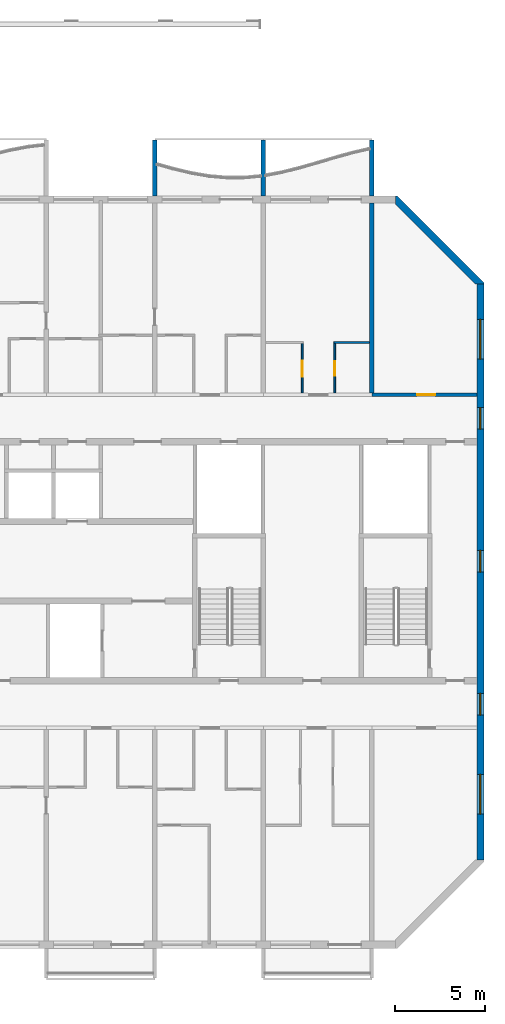
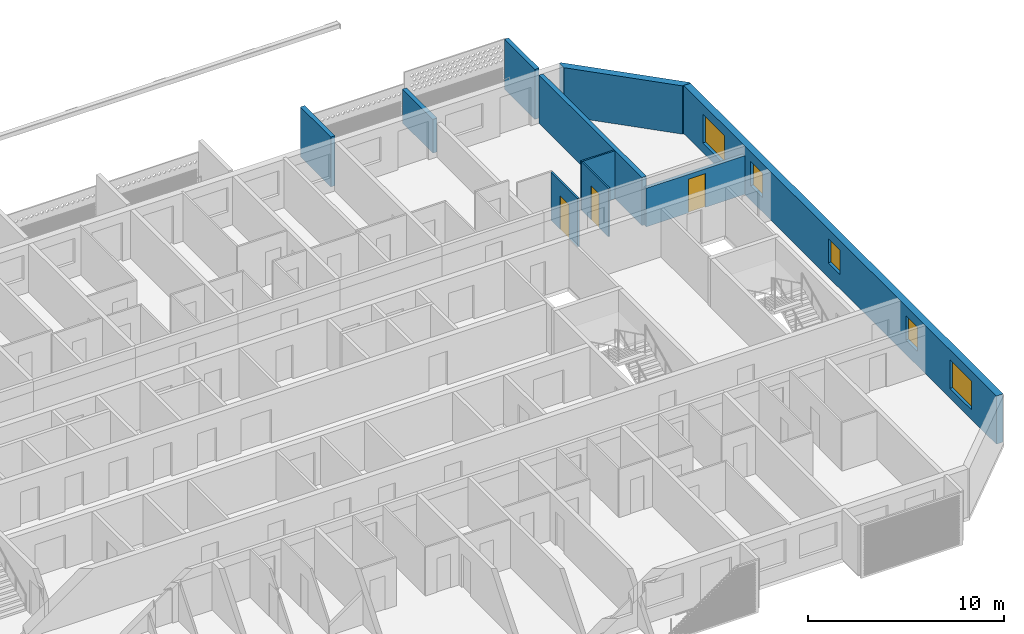
# One storey, part 13 of 20: 10 walls, 5 windows, 3 doors, 8 openings.
"""IFC4 building model written with IfcOpenShell, lengths in metres."""

from ifc_helpers import new_model, si_unit, direction, frame, frame_2d, origin, place, context, subcontext, project, spatial, polyline, rectangle, outline, extrude, source, transform, mapped, material, layer, layer_set, type_object, element, fill, save


model = new_model("IFC4")

# Units and contexts
model_context = context("Model", 3, precision=1e-05, world=origin(), true_north=direction((0.0, 1.0)))
body_context = subcontext(model_context, "Body", "Model", "MODEL_VIEW")
ifc_project = project(units=[si_unit("LENGTHUNIT", "METRE"), si_unit("AREAUNIT", "SQUARE_METRE"), si_unit("VOLUMEUNIT", "CUBIC_METRE"), si_unit("PLANEANGLEUNIT", "RADIAN"), si_unit("MASSUNIT", "GRAM", prefix="KILO")], contexts=[model_context])

# Site, building, storey
site_placement = place(None, origin())
site = spatial("IfcSite", under=ifc_project, at=site_placement, CompositionType="ELEMENT")
building_placement = place(site_placement, origin())
building = spatial("IfcBuilding", under=site, at=building_placement, Name="Poui Terraces", CompositionType="ELEMENT")
storey_placement = place(building_placement, frame((0.0, 0.0, 257.699951171875)))
storey = spatial("IfcBuildingStorey", under=building, at=storey_placement, Name="L72", CompositionType="ELEMENT", Elevation=257.699951171875)

# Wall, opening, door
ifc_material_1 = material(Name="Concrete 50 MPa", Category="concrete")
ifc_layer_1 = layer(ifc_material_1, 0.199951171875)
ifc_layer_set_1 = layer_set([ifc_layer_1], Name="Concrete 50 MPa")
wall_type_1 = type_object("IfcWallType", Name="CORRIDOR WALL 200 50MPa", PredefinedType="SHEAR", material=ifc_layer_set_1)
wall_1_placement = place(storey_placement, frame((78.0, 30.39990234375, 0.0), z_axis=(0.0, 0.0, 1.0), x_axis=(1.0, 0.0, 0.0)))
wall_1 = element("IfcWall", 1, at=wall_1_placement, inside=storey, type_object=wall_type_1, Name="CORRIDOR WALL LINE E BAY 11", PredefinedType="SHEAR", context=body_context, shape_type="SweptSolid", body=[
    extrude(rectangle(XDim=5.800048828125, YDim=0.199951171875, at=frame_2d((2.89990234375, 0.0))), origin(), (0.0, 0.0, 1.0), 2.400146484375),
])
opening_1_placement = place(wall_1_placement, frame((2.5, 0.0, 0.0)))
opening_1 = element("IfcOpeningElement", 2, at=opening_1_placement, cuts=wall_1, Name="Opening D100", PredefinedType="OPENING", context=body_context, shape_type="SweptSolid", body=[
    extrude(rectangle(XDim=1.0, YDim=2.10009765625, at=frame_2d((0.5, 1.050048828125))), frame((0.0, 0.10986328125, 0.0), z_axis=(0.0, -1.0, 0.0), x_axis=(1.0, 0.0, 0.0)), (0.0, 0.0, 1.0), 0.219970703125),
])
ifc_material_2 = material(Name="Solid core timber door", Category="wood")
door_type_1 = type_object("IfcDoorType", Name="ACCESSIBLE INTERNAL DOOR 1000 X 2100", OperationType="NOTDEFINED", PredefinedType="DOOR", material=ifc_material_2)
door_1_placement = place(opening_1_placement, origin())
door_1 = element("IfcDoor", 3, at=door_1_placement, inside=storey, type_object=door_type_1, Name="ACCESSIBLE INTERNAL DOOR 060", OperationType="SINGLE_SWING_LEFT", OverallHeight=2.10009765625, OverallWidth=1.0, PredefinedType="DOOR", context=body_context, shape_type="SweptSolid", body=[
    extrude(rectangle(XDim=1.0, YDim=2.10009765625, at=frame_2d((0.5, 1.050048828125))), frame((0.0, 0.02490234375, 0.0), z_axis=(0.0, -1.0, 0.0), x_axis=(1.0, 0.0, 0.0)), (0.0, 0.0, 1.0), 0.050048828125),
])
fill(opening_1, door_1)

# Wall
ifc_layer_2 = layer(ifc_material_1, 0.25)
ifc_layer_set_2 = layer_set([ifc_layer_2], Name="Concrete 50 MPa")
wall_type_2 = type_object("IfcWallType", Name="CROSS WALL 250 50MPa", PredefinedType="SHEAR", material=ifc_layer_set_2)
wall_2_placement = place(storey_placement, frame((78.0, 30.5, 0.0), z_axis=(0.0, 0.0, 1.0), x_axis=(0.0, 1.0, 0.0)))
element("IfcWall", 4, at=wall_2_placement, inside=storey, type_object=wall_type_2, Name="CROSS WALL LINE 14 NORTH", PredefinedType="SHEAR", context=body_context, shape_type="SweptSolid", body=[
    extrude(rectangle(XDim=10.5, YDim=0.25, at=frame_2d((5.25, 0.0))), origin(), (0.0, 0.0, 1.0), 3.0),
])

# Wall, openings, windows
ifc_layer_3 = layer(ifc_material_1, 0.39990234375)
ifc_layer_set_3 = layer_set([ifc_layer_3], Name="Concrete 50 MPa")
wall_type_3 = type_object("IfcWallType", Name="END WALL 400 50MPa", PredefinedType="SHEAR", material=ifc_layer_set_3)
wall_3_placement = place(storey_placement, frame((84.0, 4.682861328125, 0.0), z_axis=(0.0, 0.0, 1.0), x_axis=(0.0, 1.0, 0.0)))
wall_3 = element("IfcWall", 5, at=wall_3_placement, inside=storey, type_object=wall_type_3, Name="END WALL EAST", PredefinedType="SHEAR", context=body_context, shape_type="SweptSolid", body=[
    extrude(rectangle(XDim=31.834228515625, YDim=0.39990234375, at=frame_2d((15.9169921875, 0.0))), origin(), (0.0, 0.0, 1.0), 3.0),
])
opening_2_placement = place(wall_3_placement, frame((23.817138671875, 0.0, 0.89990234375)))
opening_2 = element("IfcOpeningElement", 6, at=opening_2_placement, cuts=wall_3, Name="Opening W2", PredefinedType="OPENING", context=body_context, shape_type="SweptSolid", body=[
    extrude(rectangle(XDim=1.199951171875, YDim=1.5, at=frame_2d((0.60009765625, 0.75))), frame((0.0, 0.2099609375, 0.0), z_axis=(0.0, -1.0, 0.0), x_axis=(1.0, 0.0, 0.0)), (0.0, 0.0, 1.0), 0.419921875),
])
opening_3_placement = place(wall_3_placement, frame((8.01708984375, 0.0, 0.89990234375)))
opening_3 = element("IfcOpeningElement", 7, at=opening_3_placement, cuts=wall_3, Name="Opening W2", PredefinedType="OPENING", context=body_context, shape_type="SweptSolid", body=[
    extrude(rectangle(XDim=1.199951171875, YDim=1.5, at=frame_2d((0.60009765625, 0.75))), frame((0.0, 0.2099609375, 0.0), z_axis=(0.0, -1.0, 0.0), x_axis=(1.0, 0.0, 0.0)), (0.0, 0.0, 1.0), 0.419921875),
])
opening_4_placement = place(wall_3_placement, frame((27.693603515625, 0.0, 0.60009765625)))
opening_4 = element("IfcOpeningElement", 8, at=opening_4_placement, cuts=wall_3, Name="Opening W3", PredefinedType="OPENING", context=body_context, shape_type="SweptSolid", body=[
    extrude(rectangle(XDim=2.199951171875, YDim=1.800048828125, at=frame_2d((1.10009765625, 0.89990234375))), frame((0.0, 0.2099609375, 0.0), z_axis=(0.0, -1.0, 0.0), x_axis=(1.0, 0.0, 0.0)), (0.0, 0.0, 1.0), 0.419921875),
])
opening_5_placement = place(wall_3_placement, frame((2.541015625, 0.0, 0.60009765625)))
opening_5 = element("IfcOpeningElement", 9, at=opening_5_placement, cuts=wall_3, Name="Opening W3", PredefinedType="OPENING", context=body_context, shape_type="SweptSolid", body=[
    extrude(rectangle(XDim=2.199951171875, YDim=1.800048828125, at=frame_2d((1.10009765625, 0.89990234375))), frame((0.0, 0.2099609375, 0.0), z_axis=(0.0, -1.0, 0.0), x_axis=(1.0, 0.0, 0.0)), (0.0, 0.0, 1.0), 0.419921875),
])
opening_6_placement = place(wall_3_placement, frame((15.917236328125, 0.0, 0.89990234375)))
opening_6 = element("IfcOpeningElement", 10, at=opening_6_placement, cuts=wall_3, Name="Opening W2", PredefinedType="OPENING", context=body_context, shape_type="SweptSolid", body=[
    extrude(rectangle(XDim=1.199951171875, YDim=1.5, at=frame_2d((0.60009765625, 0.75))), frame((0.0, 0.2099609375, 0.0), z_axis=(0.0, -1.0, 0.0), x_axis=(1.0, 0.0, 0.0)), (0.0, 0.0, 1.0), 0.419921875),
])
ifc_material_3 = material(Name="Clear glass in aluminium frame", Category="aluminium")
window_type_1 = type_object("IfcWindowType", Name="WINDOW 1200X1500", PartitioningType="SINGLE_PANEL", PredefinedType="WINDOW", material=ifc_material_3)
window_1_placement = place(opening_2_placement, origin())
window_1 = element("IfcWindow", 11, at=window_1_placement, inside=storey, type_object=window_type_1, Name="W2 WINDOW", OverallHeight=1.5, OverallWidth=1.199951171875, PartitioningType="SINGLE_PANEL", PredefinedType="WINDOW", context=body_context, shape_type="SweptSolid", body=[
    extrude(rectangle(XDim=1.199951171875, YDim=1.5, at=frame_2d((0.60009765625, 0.75))), frame((0.0, 0.030029296875, 0.0), z_axis=(0.0, -1.0, 0.0), x_axis=(1.0, 0.0, 0.0)), (0.0, 0.0, 1.0), 0.06005859375),
])
fill(opening_2, window_1)
window_2_placement = place(opening_3_placement, origin())
window_2 = element("IfcWindow", 12, at=window_2_placement, inside=storey, type_object=window_type_1, Name="W2 WINDOW", OverallHeight=1.5, OverallWidth=1.199951171875, PartitioningType="SINGLE_PANEL", PredefinedType="WINDOW", context=body_context, shape_type="SweptSolid", body=[
    extrude(rectangle(XDim=1.199951171875, YDim=1.5, at=frame_2d((0.60009765625, 0.75))), frame((0.0, 0.030029296875, 0.0), z_axis=(0.0, -1.0, 0.0), x_axis=(1.0, 0.0, 0.0)), (0.0, 0.0, 1.0), 0.06005859375),
])
fill(opening_3, window_2)
window_3_placement = place(opening_6_placement, origin())
window_3 = element("IfcWindow", 13, at=window_3_placement, inside=storey, type_object=window_type_1, Name="W2 WINDOW", OverallHeight=1.5, OverallWidth=1.199951171875, PartitioningType="SINGLE_PANEL", PredefinedType="WINDOW", context=body_context, shape_type="SweptSolid", body=[
    extrude(rectangle(XDim=1.199951171875, YDim=1.5, at=frame_2d((0.60009765625, 0.75))), frame((0.0, 0.030029296875, 0.0), z_axis=(0.0, -1.0, 0.0), x_axis=(1.0, 0.0, 0.0)), (0.0, 0.0, 1.0), 0.06005859375),
])
fill(opening_6, window_3)
window_type_2 = type_object("IfcWindowType", Name="WINDOW 2200X1800", PartitioningType="DOUBLE_PANEL_HORIZONTAL", PredefinedType="WINDOW", material=ifc_material_3)
window_4_placement = place(opening_4_placement, origin())
window_4 = element("IfcWindow", 14, at=window_4_placement, inside=storey, type_object=window_type_2, Name="W3 WINDOW", OverallHeight=1.800048828125, OverallWidth=2.199951171875, PartitioningType="DOUBLE_PANEL_HORIZONTAL", PredefinedType="WINDOW", context=body_context, shape_type="SweptSolid", body=[
    extrude(rectangle(XDim=2.199951171875, YDim=1.800048828125, at=frame_2d((1.10009765625, 0.89990234375))), frame((0.0, 0.030029296875, 0.0), z_axis=(0.0, -1.0, 0.0), x_axis=(1.0, 0.0, 0.0)), (0.0, 0.0, 1.0), 0.06005859375),
])
fill(opening_4, window_4)
window_5_placement = place(opening_5_placement, origin())
window_5 = element("IfcWindow", 15, at=window_5_placement, inside=storey, type_object=window_type_2, Name="W3 WINDOW", OverallHeight=1.800048828125, OverallWidth=2.199951171875, PartitioningType="DOUBLE_PANEL_HORIZONTAL", PredefinedType="WINDOW", context=body_context, shape_type="SweptSolid", body=[
    extrude(rectangle(XDim=2.199951171875, YDim=1.800048828125, at=frame_2d((1.10009765625, 0.89990234375))), frame((0.0, 0.030029296875, 0.0), z_axis=(0.0, -1.0, 0.0), x_axis=(1.0, 0.0, 0.0)), (0.0, 0.0, 1.0), 0.06005859375),
])
fill(opening_5, window_5)

# Wall
ifc_material_4 = material(Name="Plasterboard partition")
ifc_layer_4 = layer(ifc_material_4, 0.10009765625)
ifc_layer_set_4 = layer_set([ifc_layer_4], Name="Plasterboard partition")
wall_type_4 = type_object("IfcWallType", Name="FLAT PARTITION 100", PredefinedType="PARTITIONING", material=ifc_layer_set_4)
wall_4_placement = place(storey_placement, frame((75.89990234375, 33.300048828125, 0.0), z_axis=(0.0, 0.0, 1.0), x_axis=(1.0, 0.0, 0.0)))
element("IfcWall", 16, at=wall_4_placement, inside=storey, type_object=wall_type_4, Name="FLAT PARTITION 100", PredefinedType="PARTITIONING", context=body_context, shape_type="SweptSolid", body=[
    extrude(rectangle(XDim=1.965087890625, YDim=0.10009765625, at=frame_2d((0.982421875, 0.0))), origin(), (0.0, 0.0, 1.0), 3.0),
])

# Wall, opening, door
wall_5_placement = place(storey_placement, frame((74.14990234375, 30.510009765625, 0.0), z_axis=(0.0, 0.0, 1.0), x_axis=(0.0, 1.0, 0.0)))
wall_5 = element("IfcWall", 17, at=wall_5_placement, inside=storey, type_object=wall_type_4, Name="FLAT PARTITION 100", PredefinedType="PARTITIONING", context=body_context, shape_type="SweptSolid", body=[
    extrude(rectangle(XDim=2.739990234375, YDim=0.10009765625, at=frame_2d((1.3701171875, 0.0))), origin(), (0.0, 0.0, 1.0), 3.0),
])
opening_7_placement = place(wall_5_placement, frame((0.889892578125, 0.0, 0.0)))
opening_7 = element("IfcOpeningElement", 18, at=opening_7_placement, cuts=wall_5, Name="Opening D90", PredefinedType="OPENING", context=body_context, shape_type="SweptSolid", body=[
    extrude(rectangle(XDim=0.89990234375, YDim=2.10009765625, at=frame_2d((0.449951171875, 1.050048828125))), frame((0.0, 0.06005859375, 0.0), z_axis=(0.0, -1.0, 0.0), x_axis=(1.0, 0.0, 0.0)), (0.0, 0.0, 1.0), 0.1201171875),
])
door_type_2 = type_object("IfcDoorType", Name="INTERNAL DOOR 900 X 2100", OperationType="NOTDEFINED", PredefinedType="DOOR", material=ifc_material_2)
door_2_placement = place(opening_7_placement, origin())
door_2 = element("IfcDoor", 19, at=door_2_placement, inside=storey, type_object=door_type_2, Name="INTERNAL DOOR 057", OperationType="SINGLE_SWING_RIGHT", OverallHeight=2.10009765625, OverallWidth=0.89990234375, PredefinedType="DOOR", context=body_context, shape_type="SweptSolid", body=[
    extrude(rectangle(XDim=0.89990234375, YDim=2.10009765625, at=frame_2d((0.449951171875, 1.050048828125))), frame((0.0, 0.02490234375, 0.0), z_axis=(0.0, -1.0, 0.0), x_axis=(1.0, 0.0, 0.0)), (0.0, 0.0, 1.0), 0.050048828125),
])
fill(opening_7, door_2)

wall_6_placement = place(storey_placement, frame((75.949951171875, 30.510009765625, 0.0), z_axis=(0.0, 0.0, 1.0), x_axis=(0.0, 1.0, 0.0)))
wall_6 = element("IfcWall", 20, at=wall_6_placement, inside=storey, type_object=wall_type_4, Name="FLAT PARTITION 100", PredefinedType="PARTITIONING", context=body_context, shape_type="SweptSolid", body=[
    extrude(rectangle(XDim=2.739990234375, YDim=0.10009765625, at=frame_2d((1.3701171875, 0.0))), origin(), (0.0, 0.0, 1.0), 3.0),
])
opening_8_placement = place(wall_6_placement, frame((0.93994140625, 0.0, 0.0)))
opening_8 = element("IfcOpeningElement", 21, at=opening_8_placement, cuts=wall_6, Name="Opening D80", PredefinedType="OPENING", context=body_context, shape_type="SweptSolid", body=[
    extrude(rectangle(XDim=0.800048828125, YDim=2.10009765625, at=frame_2d((0.39990234375, 1.050048828125))), frame((0.0, 0.06005859375, 0.0), z_axis=(0.0, -1.0, 0.0), x_axis=(1.0, 0.0, 0.0)), (0.0, 0.0, 1.0), 0.1201171875),
])
door_type_3 = type_object("IfcDoorType", Name="BATHROOM, LAUNDRY AND STORE DOOR 800 X 2100", OperationType="NOTDEFINED", PredefinedType="DOOR", material=ifc_material_2)
door_3_placement = place(opening_8_placement, frame((0.800048828125, 0.0, 0.0), z_axis=(0.0, 0.0, 1.0), x_axis=(-1.0, 0.0, 0.0)))
door_3 = element("IfcDoor", 22, at=door_3_placement, inside=storey, type_object=door_type_3, Name="BATHROOM, LAUNDRY AND STORE DOOR 059", OperationType="SINGLE_SWING_RIGHT", OverallHeight=2.10009765625, OverallWidth=0.800048828125, PredefinedType="DOOR", context=body_context, shape_type="SweptSolid", body=[
    extrude(rectangle(XDim=0.800048828125, YDim=2.10009765625, at=frame_2d((0.39990234375, 1.050048828125))), frame((0.0, 0.02490234375, 0.0), z_axis=(0.0, -1.0, 0.0), x_axis=(1.0, 0.0, 0.0)), (0.0, 0.0, 1.0), 0.050048828125),
])
fill(opening_8, door_3)

# Walls
ifc_material_5 = material(Name="Precast concrete 40 MPa", Category="concrete")
ifc_layer_5 = layer(ifc_material_5, 0.39990234375)
ifc_layer_set_5 = layer_set([ifc_layer_5], Name="Precast concrete 40 MPa")
wall_type_5 = type_object("IfcWallType", Name="TERRACOTTA CLAD CHAMFER WALL 400", PredefinedType="STANDARD", material=ifc_layer_set_5)
wall_7_placement = place(storey_placement, origin())
element("IfcWall", 23, at=wall_7_placement, inside=storey, type_object=wall_type_5, Name="CHAMFER WALL CH03", PredefinedType="STANDARD", context=body_context, shape_type="SweptSolid", body=[
    extrude(outline(polyline([(84.199951171875, 36.51708984375), (84.199951171875, 36.60009765625), (79.39990234375, 41.39990234375), (79.317138671875, 41.39990234375), (79.317138671875, 40.917236328125), (83.71728515625, 36.51708984375), (84.199951171875, 36.51708984375)])), origin(), (0.0, 0.0, 1.0), 3.0),
])
ifc_layer_6 = layer(ifc_material_5, 0.25)
ifc_layer_set_6 = layer_set([ifc_layer_6], Name="Precast concrete 40 MPa")
wall_type_6 = type_object("IfcWallType", Name="BALCONY FIN 250", PredefinedType="STANDARD", material=ifc_layer_set_6)
shared_shape_1 = source(origin(), body_context, "Body", "SweptSolid", [
    extrude(outline(polyline([(0.0, 0.0), (0.25, 0.0), (0.25, 3.10009765625), (0.0, 3.10009765625), (0.0, 0.0)])), origin(), (0.0, 0.0, 1.0), 3.10009765625),
])
for number, where, name in (
    (24, (65.875, 41.39990234375, 0.0), "BALCONY FIN"),
    (25, (77.875, 41.39990234375, 0.0), "BALCONY FIN"),
):
    element("IfcWall", number, at=place(storey_placement, frame(where)), inside=storey, type_object=wall_type_6, Name=name, PredefinedType="STANDARD", context=body_context, shape_type="MappedRepresentation", body=[
        mapped(shared_shape_1, transform((0.0, 0.0, 0.0))),
    ])
ifc_layer_7 = layer(ifc_material_5, 0.25)
ifc_layer_set_7 = layer_set([ifc_layer_7], Name="Precast concrete 40 MPa")
wall_type_7 = type_object("IfcWallType", Name="BALCONY FIN 250 SHORT", PredefinedType="STANDARD", material=ifc_layer_set_7)
shared_shape_2 = source(origin(), body_context, "Body", "SweptSolid", [
    extrude(outline(polyline([(0.0, 0.0), (0.25, 0.0), (0.25, 3.10009765625), (0.0, 3.10009765625), (0.0, 0.0)])), origin(), (0.0, 0.0, 1.0), 2.10009765625),
])
wall_8_placement = place(storey_placement, frame((71.875, 41.39990234375, 0.0)))
element("IfcWall", 26, at=wall_8_placement, inside=storey, type_object=wall_type_7, Name="BALCONY FIN", PredefinedType="STANDARD", context=body_context, shape_type="MappedRepresentation", body=[
    mapped(shared_shape_2, transform((0.0, 0.0, 0.0))),
])

save(model, "model.ifc")
